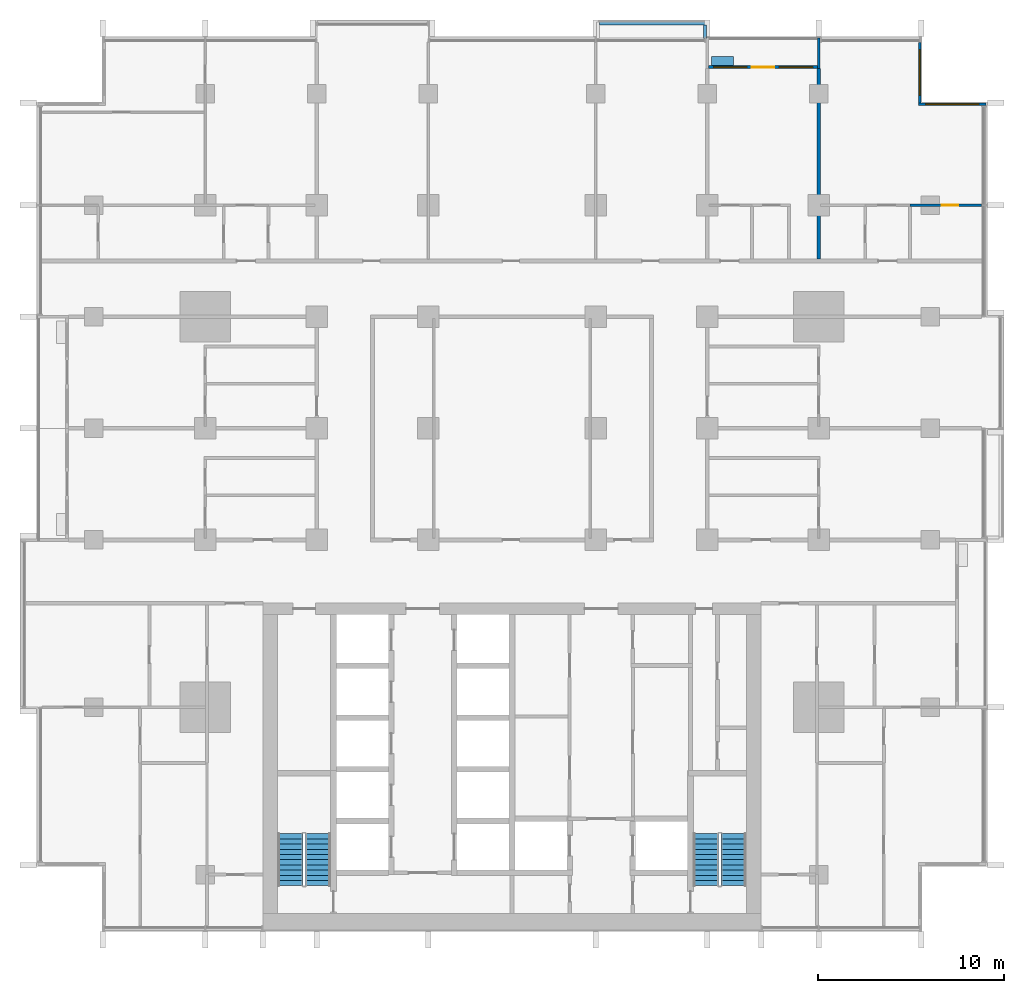
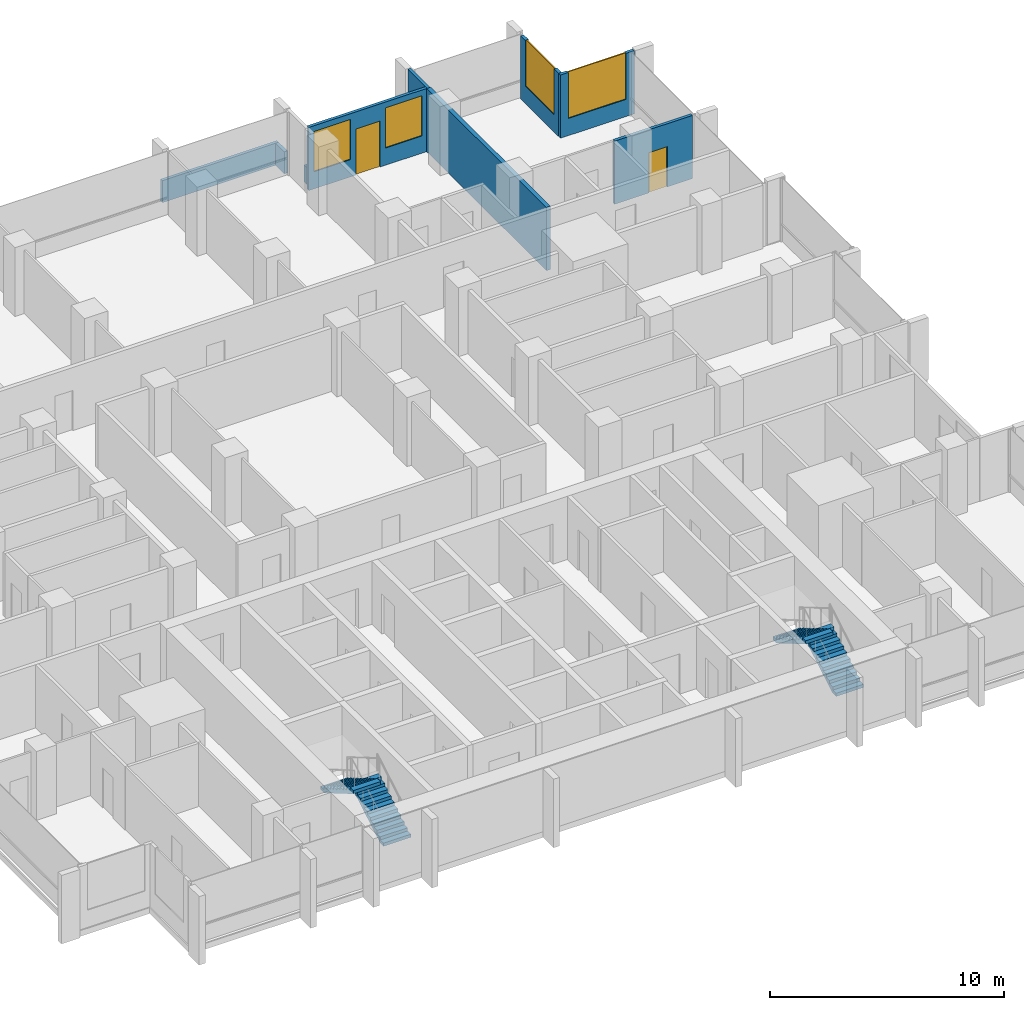
# One storey, part 12 of 17: 9 walls, 4 stair flights, 4 windows, 2 doors, 6 openings, 2 elements without a shape of their own.
"""IFC4 building model written with IfcOpenShell, lengths in metres."""

import ifcopenshell
import ifcopenshell.guid

model = None  # the IFC model being written
_history = None  # IfcOwnerHistory: only IFC2X3 demands one
_inside = {}  # id of a spatial element -> (the spatial element, [elements in it])
_under = {}  # id of a project, library or spatial element -> (it, [spatial elements below it])
_declared = {}  # id of a project -> (the project, [libraries it declares])
_typed = {}  # id of a type object -> (the type object, [elements of that type])
_made_of = {}  # id of a material, layer set ... -> (it, [elements and type objects made of it])


def new_model(schema):
    """Start an empty IFC model of exactly this schema.

    Asked for "IFC4X3", IfcOpenShell would pick the latest addendum, in which some entities
    have other attributes; the version numbers below select the first issue.
    IFC2X3 requires an IfcOwnerHistory on every rooted entity: one is made here for all.
    """
    global model, _history
    if schema == "IFC4X3":
        model = ifcopenshell.file(schema_version=(4, 3, 0, 0))
    else:
        model = ifcopenshell.file(schema=schema)
    _inside.clear()
    _under.clear()
    _declared.clear()
    _typed.clear()
    _made_of.clear()
    _history = None
    if model.schema == "IFC2X3":
        org = make("IfcOrganization", Name="unknown")
        user = make(
            "IfcPersonAndOrganization",
            ThePerson=make("IfcPerson", FamilyName="unknown"),
            TheOrganization=org,
        )
        app = make(
            "IfcApplication",
            ApplicationDeveloper=org,
            Version="unknown",
            ApplicationFullName="unknown",
            ApplicationIdentifier="unknown",
        )
        _history = make(
            "IfcOwnerHistory",
            OwningUser=user,
            OwningApplication=app,
            ChangeAction="ADDED",
            CreationDate=0,
        )
    return model


def make(cls, **values):
    """One entity of the class cls with the attributes given. An attribute that is None is left unset."""
    return model.create_entity(
        cls, **{name: value for name, value in values.items() if value is not None}
    )


def rooted(cls, **values):
    """An entity with a GlobalId (a new one), such as an element, a storey or a relation."""
    return make(cls, GlobalId=ifcopenshell.guid.new(), OwnerHistory=_history, **values)


def si_unit(unit_type, name, prefix=None):
    """IfcSIUnit, for example si_unit("LENGTHUNIT", "METRE", prefix="MILLI")."""
    return make("IfcSIUnit", UnitType=unit_type, Prefix=prefix, Name=name)


def assignment(units):
    """IfcUnitAssignment: the units of a project."""
    return None if units is None else make("IfcUnitAssignment", Units=units)


def point(xyz):
    """IfcCartesianPoint."""
    return None if xyz is None else make("IfcCartesianPoint", Coordinates=xyz)


def direction(xyz):
    """IfcDirection."""
    return None if xyz is None else make("IfcDirection", DirectionRatios=xyz)


def frame(location, z_axis=None, x_axis=None):
    """IfcAxis2Placement3D, a coordinate frame: its origin and axes. An axis left out is left unset."""
    return make(
        "IfcAxis2Placement3D",
        Location=point(location),
        Axis=direction(z_axis),
        RefDirection=direction(x_axis),
    )


def frame_2d(location, x_axis=None):
    """IfcAxis2Placement2D, a coordinate frame in the plane: its origin and x axis."""
    return make(
        "IfcAxis2Placement2D", Location=point(location), RefDirection=direction(x_axis)
    )


def origin():
    """The frame at (0, 0, 0) with its axes left unset."""
    return frame((0.0, 0.0, 0.0))


def place(relative_to, where):
    """IfcLocalPlacement: puts the frame where relative to a parent placement (None: the world)."""
    return make(
        "IfcLocalPlacement", PlacementRelTo=relative_to, RelativePlacement=where
    )


def context(
    kind, dimensions, precision=None, world=None, true_north=None, identifier=None
):
    """IfcGeometricRepresentationContext, for example the 3D "Model" context."""
    return make(
        "IfcGeometricRepresentationContext",
        ContextIdentifier=identifier,
        ContextType=kind,
        CoordinateSpaceDimension=dimensions,
        Precision=precision,
        WorldCoordinateSystem=world,
        TrueNorth=true_north,
    )


def subcontext(parent, identifier, kind, view, scale=None):
    """IfcGeometricRepresentationSubContext, for example "Body" below "Model"."""
    return make(
        "IfcGeometricRepresentationSubContext",
        ContextIdentifier=identifier,
        ContextType=kind,
        ParentContext=parent,
        TargetScale=scale,
        TargetView=view,
    )


def project(units=None, contexts=None):
    """IfcProject with its units and contexts."""
    return rooted(
        "IfcProject",
        Name="project",
        RepresentationContexts=contexts,
        UnitsInContext=assignment(units),
    )


def spatial(cls, under=None, at=None, **own):
    """A site, building, storey or space (cls), placed at a placement, below another one or the project."""
    s = rooted(cls, ObjectPlacement=at, **own)
    if under is not None:
        _under.setdefault(under.id(), (under, []))[1].append(s)
    return s


def polyline(points):
    """IfcPolyline through the points."""
    return make("IfcPolyline", Points=[point(p) for p in points])


def profile(cls, at=None, kind="AREA", **sizes):
    """A parametric profile (cls). Its sizes go by their IFC names, for example OverallWidth=200.0."""
    return make(cls, ProfileType=kind, Position=at, **sizes)


def rectangle(**sizes):
    """IfcRectangleProfileDef."""
    return profile("IfcRectangleProfileDef", **sizes)


def outline(outer, holes=None, kind="AREA"):
    """IfcArbitraryClosedProfileDef: a profile drawn as a closed curve; with holes, ...WithVoids."""
    if holes is None:
        return make("IfcArbitraryClosedProfileDef", ProfileType=kind, OuterCurve=outer)
    return make(
        "IfcArbitraryProfileDefWithVoids",
        ProfileType=kind,
        OuterCurve=outer,
        InnerCurves=holes,
    )


def extrude(swept, where, along, depth):
    """IfcExtrudedAreaSolid: the profile swept, set in the frame where, extruded along a direction by depth."""
    return make(
        "IfcExtrudedAreaSolid",
        SweptArea=swept,
        Position=where,
        ExtrudedDirection=direction(along),
        Depth=depth,
    )


def shape(context_of_items, identifier, shape_type, items):
    """IfcShapeRepresentation: the items that make up one representation, for example the "Body"."""
    return make(
        "IfcShapeRepresentation",
        ContextOfItems=context_of_items,
        RepresentationIdentifier=identifier,
        RepresentationType=shape_type,
        Items=items,
    )


def material(Name=None, Category=None):
    """IfcMaterial."""
    return make("IfcMaterial", Name=Name, Category=Category)


def layer(
    of_material, thickness, ventilated=None, Name=None, Category=None, Priority=None
):
    """IfcMaterialLayer: one layer of a wall or slab, of a material (None: an air gap)."""
    return make(
        "IfcMaterialLayer",
        Material=of_material,
        LayerThickness=thickness,
        IsVentilated=ventilated,
        Name=Name,
        Category=Category,
        Priority=Priority,
    )


def layer_set(layers, Name=None):
    """IfcMaterialLayerSet."""
    return make("IfcMaterialLayerSet", MaterialLayers=layers, LayerSetName=Name)


def made_of(thing, what):
    """Note that an element or type object is made of a material, layer set ...; save() writes the relation."""
    if what is not None:
        _made_of.setdefault(what.id(), (what, []))[1].append(thing)
    return thing


def type_object(cls, material=None, **own):
    """A type object (cls), such as IfcWallType, which elements share."""
    return made_of(rooted(cls, **own), material)


def element(
    cls,
    number,
    at=None,
    inside=None,
    cuts=None,
    type_object=None,
    material=None,
    context=None,
    identifier="Body",
    shape_type=None,
    held_by="IfcProductDefinitionShape",
    body=None,
    shapes=None,
    **own,
):
    """One element of the class cls, such as IfcWall. Its Tag is "e" and its number.

    at: its placement. inside: the storey or other place that contains it. cuts: it is an
    opening in that element (IfcRelVoidsElement). A single representation is given by context,
    identifier, shape_type and body (its items); several are given by shapes. held_by: the class
    of the entity that holds the representations. save() writes the other relations.
    """
    e = rooted(cls, Tag="e%d" % number, ObjectPlacement=at, **own)
    if body is not None:
        shapes = [shape(context, identifier, shape_type, body)]
    if shapes is not None:
        e.Representation = make(held_by, Representations=shapes)
    if inside is not None:
        _inside.setdefault(inside.id(), (inside, []))[1].append(e)
    if cuts is not None:
        rooted(
            "IfcRelVoidsElement", RelatingBuildingElement=cuts, RelatedOpeningElement=e
        )
    if type_object is not None:
        _typed.setdefault(type_object.id(), (type_object, []))[1].append(e)
    return made_of(e, material)


def fill(opening, filler):
    """IfcRelFillsElement: the door or window that sits in an opening."""
    return rooted(
        "IfcRelFillsElement",
        RelatingOpeningElement=opening,
        RelatedBuildingElement=filler,
    )


def aggregate(whole, parts):
    """IfcRelAggregates: a whole, such as a stair, and the parts it consists of."""
    return rooted("IfcRelAggregates", RelatingObject=whole, RelatedObjects=parts)


def save(model, path):
    """Write the relations noted so far, then the file.

    IfcRelAggregates (storeys below a building ...), IfcRelContainedInSpatialStructure (elements
    in a storey), IfcRelDefinesByType, IfcRelAssociatesMaterial and IfcRelDeclares: one each for
    every whole, place, type object, material and project.
    """
    for whole, parts in _under.values():
        aggregate(whole, parts)
    for where, things in _inside.values():
        rooted(
            "IfcRelContainedInSpatialStructure",
            RelatedElements=things,
            RelatingStructure=where,
        )
    for kind, things in _typed.values():
        rooted("IfcRelDefinesByType", RelatedObjects=things, RelatingType=kind)
    for what, things in _made_of.values():
        rooted("IfcRelAssociatesMaterial", RelatedObjects=things, RelatingMaterial=what)
    for by, libraries in _declared.values():
        rooted("IfcRelDeclares", RelatingContext=by, RelatedDefinitions=libraries)
    model.write(path)


model = new_model("IFC4")

# Units and contexts
model_context = context("Model", 3, precision=1e-05, world=origin(), true_north=direction((0.0, 1.0)))
body_context = subcontext(model_context, "Body", "Model", "MODEL_VIEW")
ifc_project = project(units=[si_unit("LENGTHUNIT", "METRE"), si_unit("AREAUNIT", "SQUARE_METRE"), si_unit("VOLUMEUNIT", "CUBIC_METRE"), si_unit("PLANEANGLEUNIT", "RADIAN"), si_unit("MASSUNIT", "GRAM", prefix="KILO")], contexts=[model_context])

# Site, building, storey
site_placement = place(None, origin())
site = spatial("IfcSite", under=ifc_project, at=site_placement, CompositionType="ELEMENT")
building_placement = place(site_placement, origin())
building = spatial("IfcBuilding", under=site, at=building_placement, Name="Finial Court Residences", CompositionType="ELEMENT")
storey_placement = place(building_placement, frame((0.0, 0.0, 117.10009765625)))
storey = spatial("IfcBuildingStorey", under=building, at=storey_placement, Name="L29", CompositionType="ELEMENT", Elevation=117.10009765625)

# Wall
ifc_material_1 = material(Name="Gypsum board")
ifc_layer_1 = layer(ifc_material_1, 0.02490234375)
ifc_material_2 = material(Name="Acoustic mineral wool in double frame")
ifc_layer_2 = layer(ifc_material_2, 0.14990234375)
ifc_layer_3 = layer(ifc_material_1, 0.02490234375)
ifc_layer_set_1 = layer_set([ifc_layer_1, ifc_layer_2, ifc_layer_3], Name="Acoustic party wall 200, 1 hour")
wall_type_1 = type_object("IfcWallType", Name="Acoustic party wall 200, 1 hour", PredefinedType="PARTITIONING", material=ifc_layer_set_1)
wall_1_placement = place(storey_placement, frame((16.5, 10.60009765625, 0.0), z_axis=(0.0, 0.0, 1.0), x_axis=(0.0, 1.0, 0.0)))
element("IfcWall", 1, at=wall_1_placement, inside=storey, type_object=wall_type_1, Name="Partition L29-068", PredefinedType="PARTITIONING", context=body_context, shape_type="SweptSolid", body=[
    extrude(rectangle(XDim=10.25, YDim=0.199951171875, at=frame_2d((5.125, 0.0))), origin(), (0.0, 0.0, 1.0), 3.2998046875),
])

# Wall, opening, door
ifc_material_3 = material(Name="Moisture-resistant gypsum board")
ifc_layer_4 = layer(ifc_material_3, 0.012451171875)
ifc_material_4 = material(Name="Mineral wool in light-gauge frame")
ifc_layer_5 = layer(ifc_material_4, 0.125)
ifc_layer_6 = layer(ifc_material_3, 0.012451171875)
ifc_layer_set_2 = layer_set([ifc_layer_4, ifc_layer_5, ifc_layer_6], Name="Gypsum board wet-area partition 150")
wall_type_2 = type_object("IfcWallType", Name="Gypsum board wet-area partition 150", PredefinedType="PARTITIONING", material=ifc_layer_set_2)
wall_2_placement = place(storey_placement, frame((21.39990234375, 13.5, 0.0), z_axis=(0.0, 0.0, 1.0), x_axis=(1.0, 0.0, 0.0)))
wall_2 = element("IfcWall", 2, at=wall_2_placement, inside=storey, type_object=wall_type_2, Name="Partition L29-035", PredefinedType="PARTITIONING", context=body_context, shape_type="SweptSolid", body=[
    extrude(rectangle(XDim=3.85009765625, YDim=0.14990234375, at=frame_2d((1.925048828125, 0.0))), origin(), (0.0, 0.0, 1.0), 3.2998046875),
])
opening_1_placement = place(wall_2_placement, frame((1.699951171875, 0.0, 0.0)))
opening_1 = element("IfcOpeningElement", 3, at=opening_1_placement, cuts=wall_2, Name="Opening L29-D022", PredefinedType="OPENING", context=body_context, shape_type="SweptSolid", body=[
    extrude(rectangle(XDim=0.89990234375, YDim=2.10009765625, at=frame_2d((0.449951171875, 1.050048828125))), frame((0.0, 0.0849609375, 0.0), z_axis=(0.0, -1.0, 0.0), x_axis=(1.0, 0.0, 0.0)), (0.0, 0.0, 1.0), 0.169921875),
])
ifc_material_5 = material(Name="Timber door leaf in timber frame", Category="wood")
door_type_1 = type_object("IfcDoorType", Name="Door set 900 x 2100", OperationType="SINGLE_SWING_LEFT", PredefinedType="DOOR", material=ifc_material_5)
door_1_placement = place(opening_1_placement, origin())
door_1 = element("IfcDoor", 4, at=door_1_placement, inside=storey, type_object=door_type_1, Name="Door L29-D022", OperationType="SINGLE_SWING_RIGHT", OverallHeight=2.10009765625, OverallWidth=0.89990234375, PredefinedType="DOOR", context=body_context, shape_type="SweptSolid", body=[
    extrude(rectangle(XDim=0.89990234375, YDim=2.10009765625, at=frame_2d((0.449951171875, 1.050048828125))), frame((0.0, 0.02490234375, 0.0), z_axis=(0.0, -1.0, 0.0), x_axis=(1.0, 0.0, 0.0)), (0.0, 0.0, 1.0), 0.050048828125),
])
fill(opening_1, door_1)

# Walls
ifc_material_6 = material(Name="Concrete C35/45", Category="concrete")
ifc_layer_7 = layer(ifc_material_6, 0.14990234375)
ifc_layer_set_3 = layer_set([ifc_layer_7], Name="Ledge parapet, Concrete C35/45 150")
wall_type_3 = type_object("IfcWallType", Name="Ledge parapet, Concrete C35/45 150", PredefinedType="PARAPET", material=ifc_layer_set_3)
wall_3_placement = place(storey_placement, frame((4.699951171875, 23.27490234375, 0.0), z_axis=(0.0, 0.0, 1.0), x_axis=(1.0, 0.0, 0.0)))
element("IfcWall", 5, at=wall_3_placement, inside=storey, type_object=wall_type_3, Name="E-L29-LED1-P2", PredefinedType="PARAPET", context=body_context, shape_type="SweptSolid", body=[
    extrude(rectangle(XDim=5.75, YDim=0.14990234375, at=frame_2d((2.875, 0.0))), origin(), (0.0, 0.0, 1.0), 1.14990234375),
])
wall_4_placement = place(storey_placement, frame((10.375, 23.199951171875, 0.0), z_axis=(0.0, 0.0, 1.0), x_axis=(0.0, -1.0, 0.0)))
element("IfcWall", 6, at=wall_4_placement, inside=storey, type_object=wall_type_3, Name="E-L29-LED1-P3", PredefinedType="PARAPET", context=body_context, shape_type="SweptSolid", body=[
    extrude(rectangle(XDim=0.739990234375, YDim=0.14990234375, at=frame_2d((0.3701171875, 0.0))), origin(), (0.0, 0.0, 1.0), 1.14990234375),
])

# Wall, opening, window
ifc_material_7 = material(Name="Natural limestone", Category="masonry")
ifc_layer_8 = layer(ifc_material_7, 0.14990234375)
ifc_layer_set_4 = layer_set([ifc_layer_8], Name="Limestone clad wall 150")
wall_type_4 = type_object("IfcWallType", Name="Limestone clad wall 150", PredefinedType="SOLIDWALL", material=ifc_layer_set_4)
wall_5_placement = place(storey_placement, frame((21.925048828125, 22.25, 0.0), z_axis=(0.0, 0.0, 1.0), x_axis=(0.0, -1.0, 0.0)))
wall_5 = element("IfcWall", 7, at=wall_5_placement, inside=storey, type_object=wall_type_4, Name="E-L29-NWE20", PredefinedType="SOLIDWALL", context=body_context, shape_type="SweptSolid", body=[
    extrude(rectangle(XDim=3.25, YDim=0.14990234375, at=frame_2d((1.625, 0.0))), origin(), (0.0, 0.0, 1.0), 3.2998046875),
])
opening_2_placement = place(wall_5_placement, frame((0.39990234375, 0.0, 0.89990234375)))
opening_2 = element("IfcOpeningElement", 8, at=opening_2_placement, cuts=wall_5, Name="Opening WE29-07", PredefinedType="OPENING", context=body_context, shape_type="SweptSolid", body=[
    extrude(rectangle(XDim=2.449951171875, YDim=2.39990234375, at=frame_2d((1.22509765625, 1.199951171875))), frame((0.0, 0.0849609375, 0.0), z_axis=(0.0, -1.0, 0.0), x_axis=(1.0, 0.0, 0.0)), (0.0, 0.0, 1.0), 0.169921875),
])
ifc_material_8 = material(Name="Clear low-e glass", Category="glass")
window_type_1 = type_object("IfcWindowType", Name="Corner window 2450 x 2400", PartitioningType="SINGLE_PANEL", PredefinedType="WINDOW", material=ifc_material_8)
window_1_placement = place(opening_2_placement, origin())
window_1 = element("IfcWindow", 9, at=window_1_placement, inside=storey, type_object=window_type_1, Name="E-L29-NWE20-W1", OverallHeight=2.39990234375, OverallWidth=2.449951171875, PartitioningType="SINGLE_PANEL", PredefinedType="WINDOW", context=body_context, shape_type="SweptSolid", body=[
    extrude(rectangle(XDim=2.449951171875, YDim=2.39990234375, at=frame_2d((1.22509765625, 1.199951171875))), frame((0.0, 0.030029296875, 0.0), z_axis=(0.0, -1.0, 0.0), x_axis=(1.0, 0.0, 0.0)), (0.0, 0.0, 1.0), 0.06005859375),
])
fill(opening_2, window_1)

wall_6_placement = place(storey_placement, frame((21.85009765625, 18.925048828125, 0.0), z_axis=(0.0, 0.0, 1.0), x_axis=(1.0, 0.0, 0.0)))
wall_6 = element("IfcWall", 10, at=wall_6_placement, inside=storey, type_object=wall_type_4, Name="E-L29-NWN21", PredefinedType="SOLIDWALL", context=body_context, shape_type="SweptSolid", body=[
    extrude(rectangle(XDim=3.64990234375, YDim=0.14990234375, at=frame_2d((1.824951171875, 0.0))), origin(), (0.0, 0.0, 1.0), 3.2998046875),
])
opening_3_placement = place(wall_6_placement, frame((0.39990234375, 0.0, 0.89990234375)))
opening_3 = element("IfcOpeningElement", 11, at=opening_3_placement, cuts=wall_6, Name="Opening WE29-08", PredefinedType="OPENING", context=body_context, shape_type="SweptSolid", body=[
    extrude(rectangle(XDim=2.85009765625, YDim=2.39990234375, at=frame_2d((1.425048828125, 1.199951171875))), frame((0.0, 0.0849609375, 0.0), z_axis=(0.0, -1.0, 0.0), x_axis=(1.0, 0.0, 0.0)), (0.0, 0.0, 1.0), 0.169921875),
])
window_type_2 = type_object("IfcWindowType", Name="Corner window 2850 x 2400", PartitioningType="SINGLE_PANEL", PredefinedType="WINDOW", material=ifc_material_8)
window_2_placement = place(opening_3_placement, origin())
window_2 = element("IfcWindow", 12, at=window_2_placement, inside=storey, type_object=window_type_2, Name="E-L29-NWN21-W1", OverallHeight=2.39990234375, OverallWidth=2.85009765625, PartitioningType="SINGLE_PANEL", PredefinedType="WINDOW", context=body_context, shape_type="SweptSolid", body=[
    extrude(rectangle(XDim=2.85009765625, YDim=2.39990234375, at=frame_2d((1.425048828125, 1.199951171875))), frame((0.0, 0.030029296875, 0.0), z_axis=(0.0, -1.0, 0.0), x_axis=(1.0, 0.0, 0.0)), (0.0, 0.0, 1.0), 0.06005859375),
])
fill(opening_3, window_2)

# Wall
wall_7_placement = place(storey_placement, frame((16.5, 20.85009765625, 0.0), z_axis=(0.0, 0.0, 1.0), x_axis=(0.0, 1.0, 0.0)))
element("IfcWall", 13, at=wall_7_placement, inside=storey, type_object=wall_type_4, Name="E-L29-BALN6-P2", PredefinedType="SOLIDWALL", context=body_context, shape_type="SweptSolid", body=[
    extrude(rectangle(XDim=1.64990234375, YDim=0.14990234375, at=frame_2d((0.824951171875, 0.0))), origin(), (0.0, 0.0, 1.0), 3.2998046875),
])

# Wall, openings, door, windows
wall_8_placement = place(storey_placement, frame((10.574951171875, 20.925048828125, 0.0), z_axis=(0.0, 0.0, 1.0), x_axis=(1.0, 0.0, 0.0)))
wall_8 = element("IfcWall", 14, at=wall_8_placement, inside=storey, type_object=wall_type_4, Name="E-L29-L29-BALN6-W", PredefinedType="SOLIDWALL", context=body_context, shape_type="SweptSolid", body=[
    extrude(rectangle(XDim=5.85009765625, YDim=0.14990234375, at=frame_2d((2.925048828125, 0.0))), origin(), (0.0, 0.0, 1.0), 3.2998046875),
])
opening_4_placement = place(wall_8_placement, frame((2.324951171875, 0.0, 0.0)))
opening_4 = element("IfcOpeningElement", 15, at=opening_4_placement, cuts=wall_8, Name="Opening DE29-01", PredefinedType="OPENING", context=body_context, shape_type="SweptSolid", body=[
    extrude(rectangle(XDim=1.199951171875, YDim=2.39990234375, at=frame_2d((0.60009765625, 1.199951171875))), frame((0.0, 0.0849609375, 0.0), z_axis=(0.0, -1.0, 0.0), x_axis=(1.0, 0.0, 0.0)), (0.0, 0.0, 1.0), 0.169921875),
])
opening_5_placement = place(wall_8_placement, frame((0.262451171875, 0.0, 0.89990234375)))
opening_5 = element("IfcOpeningElement", 16, at=opening_5_placement, cuts=wall_8, Name="Opening WE29-09", PredefinedType="OPENING", context=body_context, shape_type="SweptSolid", body=[
    extrude(rectangle(XDim=1.800048828125, YDim=2.10009765625, at=frame_2d((0.89990234375, 1.050048828125))), frame((0.0, 0.0849609375, 0.0), z_axis=(0.0, -1.0, 0.0), x_axis=(1.0, 0.0, 0.0)), (0.0, 0.0, 1.0), 0.169921875),
])
opening_6_placement = place(wall_8_placement, frame((3.78759765625, 0.0, 0.89990234375)))
opening_6 = element("IfcOpeningElement", 17, at=opening_6_placement, cuts=wall_8, Name="Opening WE29-10", PredefinedType="OPENING", context=body_context, shape_type="SweptSolid", body=[
    extrude(rectangle(XDim=1.800048828125, YDim=2.10009765625, at=frame_2d((0.89990234375, 1.050048828125))), frame((0.0, 0.0849609375, 0.0), z_axis=(0.0, -1.0, 0.0), x_axis=(1.0, 0.0, 0.0)), (0.0, 0.0, 1.0), 0.169921875),
])
ifc_material_9 = material(Name="Bronze anodised aluminium", Category="aluminium")
door_type_2 = type_object("IfcDoorType", Name="Balcony door 1200 x 2400", OperationType="SINGLE_SWING_LEFT", PredefinedType="DOOR", material=ifc_material_9)
door_2_placement = place(opening_4_placement, origin())
door_2 = element("IfcDoor", 18, at=door_2_placement, inside=storey, type_object=door_type_2, Name="E-L29-L29-BALN6-W-D", OperationType="SINGLE_SWING_LEFT", OverallHeight=2.39990234375, OverallWidth=1.199951171875, PredefinedType="DOOR", context=body_context, shape_type="SweptSolid", body=[
    extrude(rectangle(XDim=1.199951171875, YDim=2.39990234375, at=frame_2d((0.60009765625, 1.199951171875))), frame((0.0, 0.02490234375, 0.0), z_axis=(0.0, -1.0, 0.0), x_axis=(1.0, 0.0, 0.0)), (0.0, 0.0, 1.0), 0.050048828125),
])
fill(opening_4, door_2)
window_type_3 = type_object("IfcWindowType", Name="Balcony window 1800 x 2100", PartitioningType="SINGLE_PANEL", PredefinedType="WINDOW", material=ifc_material_8)
window_3_placement = place(opening_5_placement, origin())
window_3 = element("IfcWindow", 19, at=window_3_placement, inside=storey, type_object=window_type_3, Name="E-L29-L29-BALN6-W-W1", OverallHeight=2.10009765625, OverallWidth=1.800048828125, PartitioningType="SINGLE_PANEL", PredefinedType="WINDOW", context=body_context, shape_type="SweptSolid", body=[
    extrude(rectangle(XDim=1.800048828125, YDim=2.10009765625, at=frame_2d((0.89990234375, 1.050048828125))), frame((0.0, 0.030029296875, 0.0), z_axis=(0.0, -1.0, 0.0), x_axis=(1.0, 0.0, 0.0)), (0.0, 0.0, 1.0), 0.06005859375),
])
fill(opening_5, window_3)
window_4_placement = place(opening_6_placement, origin())
window_4 = element("IfcWindow", 20, at=window_4_placement, inside=storey, type_object=window_type_3, Name="E-L29-L29-BALN6-W-W2", OverallHeight=2.10009765625, OverallWidth=1.800048828125, PartitioningType="SINGLE_PANEL", PredefinedType="WINDOW", context=body_context, shape_type="SweptSolid", body=[
    extrude(rectangle(XDim=1.800048828125, YDim=2.10009765625, at=frame_2d((0.89990234375, 1.050048828125))), frame((0.0, 0.030029296875, 0.0), z_axis=(0.0, -1.0, 0.0), x_axis=(1.0, 0.0, 0.0)), (0.0, 0.0, 1.0), 0.06005859375),
])
fill(opening_6, window_4)

# Wall
ifc_material_10 = material(Name="Concrete C40/50", Category="concrete")
ifc_layer_9 = layer(ifc_material_10, 0.10009765625)
ifc_material_11 = material(Name="Planting soil", Category="soil")
ifc_layer_10 = layer(ifc_material_11, 0.300048828125)
ifc_layer_11 = layer(ifc_material_10, 0.10009765625)
ifc_layer_set_5 = layer_set([ifc_layer_9, ifc_layer_10, ifc_layer_11], Name="Planter wall, balcony")
wall_type_5 = type_object("IfcWallType", Name="Planter wall, balcony", PredefinedType="USERDEFINED", material=ifc_layer_set_5)
wall_9_placement = place(storey_placement, frame((10.72509765625, 21.25, 0.0), z_axis=(0.0, 0.0, 1.0), x_axis=(1.0, 0.0, 0.0)))
element("IfcWall", 21, at=wall_9_placement, inside=storey, type_object=wall_type_5, Name="E-L29-BALN6-PL", ObjectType="PLANTER", PredefinedType="USERDEFINED", context=body_context, shape_type="SweptSolid", body=[
    extrude(rectangle(XDim=1.199951171875, YDim=0.5, at=frame_2d((0.60009765625, 0.0))), origin(), (0.0, 0.0, 1.0), 0.89990234375),
])

# Stair, stair flights
ifc_material_12 = material(Name="Concrete C50/60", Category="concrete")
stair_type = type_object("IfcStairType", Name="Exit stair 22 risers of 163.6 mm", PredefinedType="HALF_TURN_STAIR", material=ifc_material_12)
stair_1_placement = place(storey_placement, origin())
stair_1 = element("IfcStair", 22, at=stair_1_placement, inside=storey, type_object=stair_type, Name="L29 Exit stair ST-1", PredefinedType="HALF_TURN_STAIR")
stair_flight_type = type_object("IfcStairFlightType", Name="Exit stair flight", PredefinedType="STRAIGHT", material=ifc_material_12)
stair_flight_1_placement = place(storey_placement, frame((-10.425048828125, -23.10009765625, 0.0), z_axis=(0.0, 0.0, 1.0), x_axis=(0.0, 1.0, 0.0)))
stair_flight_1 = element("IfcStairFlight", 23, at=stair_flight_1_placement, type_object=stair_flight_type, Name="ST-1 flight 1", NumberOfRisers=11, NumberOfTreads=10, PredefinedType="STRAIGHT", RiserHeight=0.163636364, TreadLength=0.28, context=body_context, shape_type="SweptSolid", body=[
    extrude(outline(polyline([(0.0, 0.0), (0.0, 0.16357421875), (0.280029296875, 0.16357421875), (0.280029296875, 0.327392578125), (0.56005859375, 0.327392578125), (0.56005859375, 0.490966796875), (0.840087890625, 0.490966796875), (0.840087890625, 0.654541015625), (1.1201171875, 0.654541015625), (1.1201171875, 0.818115234375), (1.39990234375, 0.818115234375), (1.39990234375, 0.98193359375), (1.679931640625, 0.98193359375), (1.679931640625, 1.1455078125), (1.9599609375, 1.1455078125), (1.9599609375, 1.30908203125), (2.239990234375, 1.30908203125), (2.239990234375, 1.47265625), (2.52001953125, 1.47265625), (2.52001953125, 1.636474609375), (2.800048828125, 1.636474609375), (2.800048828125, 1.800048828125), (2.800048828125, 1.462646484375), (0.297119140625, 0.0), (0.0, 0.0)])), frame((0.0, 0.675048828125, 0.0), z_axis=(0.0, -1.0, 0.0), x_axis=(1.0, 0.0, 0.0)), (0.0, 0.0, 1.0), 1.35009765625),
])
stair_flight_2_placement = place(storey_placement, frame((-11.925048828125, -20.300048828125, 1.7998046875), z_axis=(0.0, 0.0, 1.0), x_axis=(0.0, -1.0, 0.0)))
stair_flight_2 = element("IfcStairFlight", 24, at=stair_flight_2_placement, type_object=stair_flight_type, Name="ST-1 flight 2", NumberOfRisers=11, NumberOfTreads=10, PredefinedType="STRAIGHT", RiserHeight=0.163636364, TreadLength=0.28, context=body_context, shape_type="SweptSolid", body=[
    extrude(outline(polyline([(0.0, 0.0), (0.0, 0.16357421875), (0.280029296875, 0.16357421875), (0.280029296875, 0.327392578125), (0.56005859375, 0.327392578125), (0.56005859375, 0.490966796875), (0.840087890625, 0.490966796875), (0.840087890625, 0.654541015625), (1.1201171875, 0.654541015625), (1.1201171875, 0.818115234375), (1.39990234375, 0.818115234375), (1.39990234375, 0.98193359375), (1.679931640625, 0.98193359375), (1.679931640625, 1.1455078125), (1.9599609375, 1.1455078125), (1.9599609375, 1.30908203125), (2.239990234375, 1.30908203125), (2.239990234375, 1.47265625), (2.52001953125, 1.47265625), (2.52001953125, 1.636474609375), (2.800048828125, 1.636474609375), (2.800048828125, 1.800048828125), (2.800048828125, 1.462646484375), (0.297119140625, 0.0), (0.0, 0.0)])), frame((0.0, 0.675048828125, 0.0), z_axis=(0.0, -1.0, 0.0), x_axis=(1.0, 0.0, 0.0)), (0.0, 0.0, 1.0), 1.35009765625),
])
aggregate(stair_1, [stair_flight_1, stair_flight_2])

stair_2_placement = place(storey_placement, origin())
stair_2 = element("IfcStair", 25, at=stair_2_placement, inside=storey, type_object=stair_type, Name="L29 Exit stair ST-2", PredefinedType="HALF_TURN_STAIR")
stair_flight_3_placement = place(storey_placement, frame((11.925048828125, -23.10009765625, 0.0), z_axis=(0.0, 0.0, 1.0), x_axis=(0.0, 1.0, 0.0)))
stair_flight_3 = element("IfcStairFlight", 26, at=stair_flight_3_placement, type_object=stair_flight_type, Name="ST-2 flight 1", NumberOfRisers=11, NumberOfTreads=10, PredefinedType="STRAIGHT", RiserHeight=0.163636364, TreadLength=0.28, context=body_context, shape_type="SweptSolid", body=[
    extrude(outline(polyline([(0.0, 0.0), (0.0, 0.16357421875), (0.280029296875, 0.16357421875), (0.280029296875, 0.327392578125), (0.56005859375, 0.327392578125), (0.56005859375, 0.490966796875), (0.840087890625, 0.490966796875), (0.840087890625, 0.654541015625), (1.1201171875, 0.654541015625), (1.1201171875, 0.818115234375), (1.39990234375, 0.818115234375), (1.39990234375, 0.98193359375), (1.679931640625, 0.98193359375), (1.679931640625, 1.1455078125), (1.9599609375, 1.1455078125), (1.9599609375, 1.30908203125), (2.239990234375, 1.30908203125), (2.239990234375, 1.47265625), (2.52001953125, 1.47265625), (2.52001953125, 1.636474609375), (2.800048828125, 1.636474609375), (2.800048828125, 1.800048828125), (2.800048828125, 1.462646484375), (0.297119140625, 0.0), (0.0, 0.0)])), frame((0.0, 0.675048828125, 0.0), z_axis=(0.0, -1.0, 0.0), x_axis=(1.0, 0.0, 0.0)), (0.0, 0.0, 1.0), 1.35009765625),
])
stair_flight_4_placement = place(storey_placement, frame((10.425048828125, -20.300048828125, 1.7998046875), z_axis=(0.0, 0.0, 1.0), x_axis=(0.0, -1.0, 0.0)))
stair_flight_4 = element("IfcStairFlight", 27, at=stair_flight_4_placement, type_object=stair_flight_type, Name="ST-2 flight 2", NumberOfRisers=11, NumberOfTreads=10, PredefinedType="STRAIGHT", RiserHeight=0.163636364, TreadLength=0.28, context=body_context, shape_type="SweptSolid", body=[
    extrude(outline(polyline([(0.0, 0.0), (0.0, 0.16357421875), (0.280029296875, 0.16357421875), (0.280029296875, 0.327392578125), (0.56005859375, 0.327392578125), (0.56005859375, 0.490966796875), (0.840087890625, 0.490966796875), (0.840087890625, 0.654541015625), (1.1201171875, 0.654541015625), (1.1201171875, 0.818115234375), (1.39990234375, 0.818115234375), (1.39990234375, 0.98193359375), (1.679931640625, 0.98193359375), (1.679931640625, 1.1455078125), (1.9599609375, 1.1455078125), (1.9599609375, 1.30908203125), (2.239990234375, 1.30908203125), (2.239990234375, 1.47265625), (2.52001953125, 1.47265625), (2.52001953125, 1.636474609375), (2.800048828125, 1.636474609375), (2.800048828125, 1.800048828125), (2.800048828125, 1.462646484375), (0.297119140625, 0.0), (0.0, 0.0)])), frame((0.0, 0.675048828125, 0.0), z_axis=(0.0, -1.0, 0.0), x_axis=(1.0, 0.0, 0.0)), (0.0, 0.0, 1.0), 1.35009765625),
])
aggregate(stair_2, [stair_flight_3, stair_flight_4])

save(model, "model.ifc")
